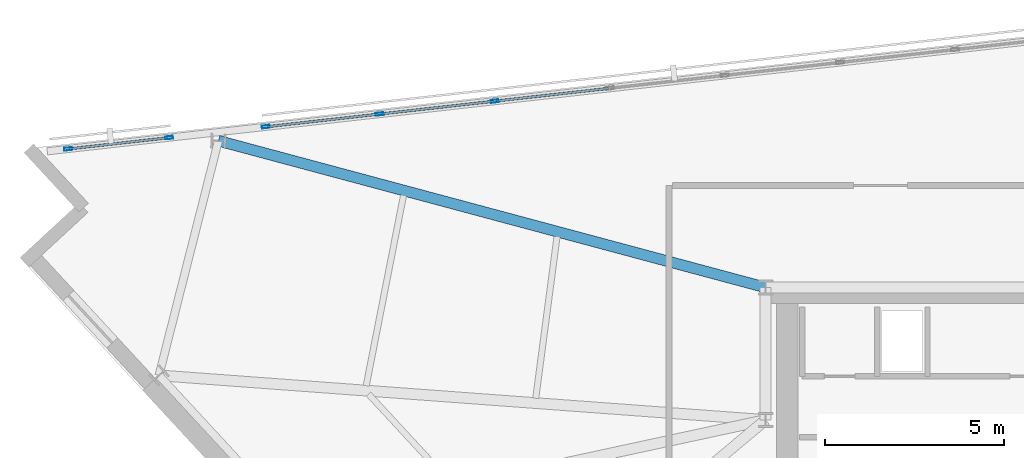
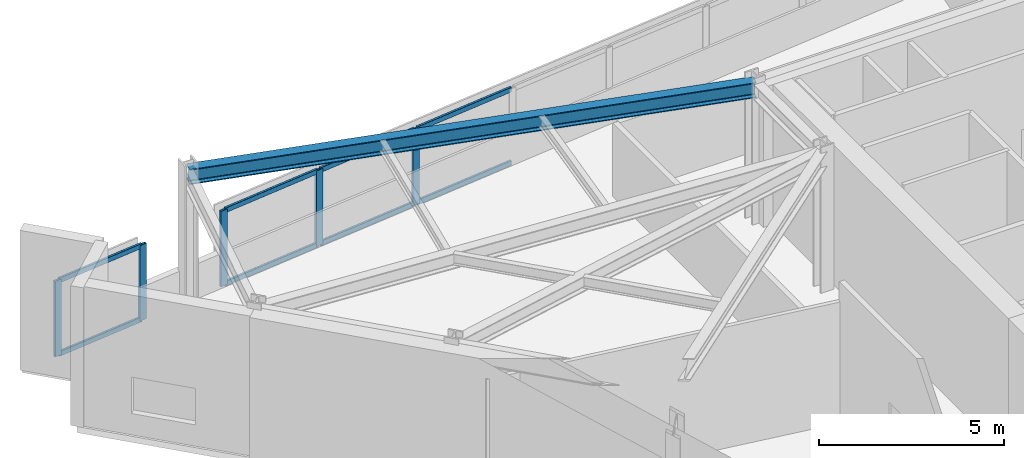
# One storey, part 2 of 12: 13 members, 1 beam, 2 elements without a shape of their own.
"""IFC4 building model written with IfcOpenShell, lengths in metres."""

from ifc_helpers import new_model, si_unit, direction, frame, origin, origin_2d, place, context, subcontext, project, spatial, hollow_rectangle, i_section, extrude, material, material_profile, profile_set, type_object, element, aggregate, save


model = new_model("IFC4")

# Units and contexts
model_context = context("Model", 3, precision=1e-05, world=origin(), true_north=direction((0.0, 1.0)))
body_context = subcontext(model_context, "Body", "Model", "MODEL_VIEW")
ifc_project = project(units=[si_unit("LENGTHUNIT", "METRE"), si_unit("AREAUNIT", "SQUARE_METRE"), si_unit("VOLUMEUNIT", "CUBIC_METRE"), si_unit("PLANEANGLEUNIT", "RADIAN"), si_unit("MASSUNIT", "GRAM", prefix="KILO")], contexts=[model_context])

# Site, building, storey
site_placement = place(None, origin())
site = spatial("IfcSite", under=ifc_project, at=site_placement, CompositionType="ELEMENT")
building_placement = place(site_placement, origin())
building = spatial("IfcBuilding", under=site, at=building_placement, Name="Narakoshi Arena Tower", CompositionType="ELEMENT")
storey_placement = place(building_placement, frame((0.0, 0.0, 307.780029296875)))
storey = spatial("IfcBuildingStorey", under=building, at=storey_placement, Name="L83", CompositionType="ELEMENT", Elevation=307.780029296875)

# Beam
ifc_material_1 = material(Name="Structural steel S355J2", Category="steel")
ifc_material_profile_1 = material_profile(ifc_material_1, i_section(OverallWidth=0.300048828125, OverallDepth=0.5, WebThickness=0.014404296875, FlangeThickness=0.028076171875, FilletRadius=0.027099609375, at=origin_2d()), Name="HE500B")
ifc_profile_set_1 = profile_set([ifc_material_profile_1], Name="Structural steel S355J2")
beam_type = type_object("IfcBeamType", Name="BM-PRI-500", PredefinedType="BEAM", material=ifc_profile_set_1)
beam_placement = place(storey_placement, frame((72.0, 56.5, 4.349853515625), z_axis=(-0.965877018817, 0.259001128418, 0.0), x_axis=(-0.259001128418, -0.965877018817, 0.0)))
element("IfcBeam", 1, at=beam_placement, inside=storey, type_object=beam_type, Name="L83 Radial Primary Floor Girder 08", PredefinedType="BEAM", context=body_context, shape_type="SweptSolid", body=[
    extrude(i_section(OverallWidth=0.300048828125, OverallDepth=0.5, WebThickness=0.014404296875, FlangeThickness=0.028076171875, FilletRadius=0.027099609375, at=origin_2d()), origin(), (0.0, 0.0, 1.0), 15.822998046875),
])

# Curtain wall, members
ifc_material_2 = material(Name="Anodised bronze aluminium 6063-T6", Category="aluminium")
curtain_wall_type = type_object("IfcCurtainWallType", Name="CW-CRN-FACET", PredefinedType="NOTDEFINED", material=ifc_material_2)
curtain_wall_1_placement = place(storey_placement, origin())
curtain_wall_1 = element("IfcCurtainWall", 2, at=curtain_wall_1_placement, inside=storey, type_object=curtain_wall_type, Name="L83 Slanted-Cut Crown Curtain Wall 6-1", PredefinedType="NOTDEFINED")
ifc_material_profile_2 = material_profile(ifc_material_2, hollow_rectangle(XDim=0.080078125, YDim=0.219970703125, WallThickness=0.0048828125, OuterFilletRadius=0.006103515625, at=origin_2d()), Name="MUL220x80x5")
ifc_profile_set_2 = profile_set([ifc_material_profile_2], Name="Anodised bronze aluminium 6063-T6")
member_type_1 = type_object("IfcMemberType", Name="MEM-MUL-220", PredefinedType="MULLION", material=ifc_profile_set_2)
member_1_placement = place(storey_placement, frame((52.522216796875, 60.369384765625, 0.0), z_axis=(0.0, 0.0, 1.0), x_axis=(-0.1113948238, 0.993776228952, 0.0)))
member_1 = element("IfcMember", 3, at=member_1_placement, type_object=member_type_1, Name="CW-06 mullion 1", PredefinedType="MULLION", context=body_context, shape_type="SweptSolid", body=[
    extrude(hollow_rectangle(XDim=0.080078125, YDim=0.219970703125, WallThickness=0.0048828125, OuterFilletRadius=0.006103515625, at=origin_2d()), origin(), (0.0, 0.0, 1.0), 2.4873046875),
])
member_2_placement = place(storey_placement, frame((55.34130859375, 60.685302734375, 0.0), z_axis=(0.0, 0.0, 1.0), x_axis=(-0.1113948238, 0.993776228952, 0.0)))
member_2 = element("IfcMember", 4, at=member_2_placement, type_object=member_type_1, Name="CW-06 mullion 2", PredefinedType="MULLION", context=body_context, shape_type="SweptSolid", body=[
    extrude(hollow_rectangle(XDim=0.080078125, YDim=0.219970703125, WallThickness=0.0048828125, OuterFilletRadius=0.006103515625, at=origin_2d()), origin(), (0.0, 0.0, 1.0), 2.4873046875),
])

curtain_wall_2_placement = place(storey_placement, origin())
curtain_wall_2 = element("IfcCurtainWall", 5, at=curtain_wall_2_placement, inside=storey, type_object=curtain_wall_type, Name="L83 Slanted-Cut Crown Curtain Wall 6-2", PredefinedType="NOTDEFINED")
member_3_placement = place(storey_placement, frame((58.040771484375, 60.988037109375, 0.0), z_axis=(0.0, 0.0, 1.0), x_axis=(-0.11139525537, 0.993776180576, 0.0)))
member_3 = element("IfcMember", 6, at=member_3_placement, type_object=member_type_1, Name="CW-06 mullion 1", PredefinedType="MULLION", context=body_context, shape_type="SweptSolid", body=[
    extrude(hollow_rectangle(XDim=0.080078125, YDim=0.219970703125, WallThickness=0.0048828125, OuterFilletRadius=0.006103515625, at=origin_2d()), origin(), (0.0, 0.0, 1.0), 2.4873046875),
])
member_4_placement = place(storey_placement, frame((61.216796875, 61.343994140625, 0.0), z_axis=(0.0, 0.0, 1.0), x_axis=(-0.11139525537, 0.993776180576, 0.0)))
member_4 = element("IfcMember", 7, at=member_4_placement, type_object=member_type_1, Name="CW-06 mullion 2", PredefinedType="MULLION", context=body_context, shape_type="SweptSolid", body=[
    extrude(hollow_rectangle(XDim=0.080078125, YDim=0.219970703125, WallThickness=0.0048828125, OuterFilletRadius=0.006103515625, at=origin_2d()), origin(), (0.0, 0.0, 1.0), 2.4873046875),
])
member_5_placement = place(storey_placement, frame((64.432373046875, 61.704345703125, 0.0), z_axis=(0.0, 0.0, 1.0), x_axis=(-0.11139525537, 0.993776180576, 0.0)))
member_5 = element("IfcMember", 8, at=member_5_placement, type_object=member_type_1, Name="CW-06 mullion 3", PredefinedType="MULLION", context=body_context, shape_type="SweptSolid", body=[
    extrude(hollow_rectangle(XDim=0.080078125, YDim=0.219970703125, WallThickness=0.0048828125, OuterFilletRadius=0.006103515625, at=origin_2d()), origin(), (0.0, 0.0, 1.0), 2.4873046875),
])

# Member
ifc_material_profile_3 = material_profile(ifc_material_2, hollow_rectangle(XDim=0.070068359375, YDim=0.159912109375, WallThickness=0.00390625, OuterFilletRadius=0.0048828125, at=origin_2d()), Name="TRN160x70x4")
ifc_profile_set_3 = profile_set([ifc_material_profile_3], Name="Anodised bronze aluminium 6063-T6")
member_type_2 = type_object("IfcMemberType", Name="MEM-TRN-160", PredefinedType="USERDEFINED", material=ifc_profile_set_3)
member_6_placement = place(storey_placement, frame((52.56201171875, 60.373779296875, 0.034912109375), z_axis=(0.993774165125, 0.11141323409, 0.0), x_axis=(-0.11141323409, 0.993774165125, 0.0)))
member_6 = element("IfcMember", 9, at=member_6_placement, type_object=member_type_2, Name="CW-06 transom 1.1", ObjectType="TRANSOM", PredefinedType="USERDEFINED", context=body_context, shape_type="SweptSolid", body=[
    extrude(hollow_rectangle(XDim=0.070068359375, YDim=0.159912109375, WallThickness=0.00390625, OuterFilletRadius=0.0048828125, at=origin_2d()), origin(), (0.0, 0.0, 1.0), 2.756591796875),
])

member_7_placement = place(storey_placement, frame((52.56201171875, 60.373779296875, 2.452392578125), z_axis=(0.993774165125, 0.11141323409, 0.0), x_axis=(-0.11141323409, 0.993774165125, 0.0)))
member_7 = element("IfcMember", 10, at=member_7_placement, type_object=member_type_2, Name="CW-06 transom 1.2", ObjectType="TRANSOM", PredefinedType="USERDEFINED", context=body_context, shape_type="SweptSolid", body=[
    extrude(hollow_rectangle(XDim=0.070068359375, YDim=0.159912109375, WallThickness=0.00390625, OuterFilletRadius=0.0048828125, at=origin_2d()), origin(), (0.0, 0.0, 1.0), 2.756591796875),
])

aggregate(curtain_wall_1, [member_1, member_2, member_6, member_7])

member_8_placement = place(storey_placement, frame((58.08056640625, 60.992431640625, 0.034912109375), z_axis=(0.993773354848, 0.111420461294, 0.0), x_axis=(-0.111420461294, 0.993773354848, 0.0)))
member_8 = element("IfcMember", 11, at=member_8_placement, type_object=member_type_2, Name="CW-06 transom 1.1", ObjectType="TRANSOM", PredefinedType="USERDEFINED", context=body_context, shape_type="SweptSolid", body=[
    extrude(hollow_rectangle(XDim=0.070068359375, YDim=0.159912109375, WallThickness=0.00390625, OuterFilletRadius=0.0048828125, at=origin_2d()), origin(), (0.0, 0.0, 1.0), 3.11572265625),
])

member_9_placement = place(storey_placement, frame((58.08056640625, 60.992431640625, 2.452392578125), z_axis=(0.993773354848, 0.111420461294, 0.0), x_axis=(-0.111420461294, 0.993773354848, 0.0)))
member_9 = element("IfcMember", 12, at=member_9_placement, type_object=member_type_2, Name="CW-06 transom 1.2", ObjectType="TRANSOM", PredefinedType="USERDEFINED", context=body_context, shape_type="SweptSolid", body=[
    extrude(hollow_rectangle(XDim=0.070068359375, YDim=0.159912109375, WallThickness=0.00390625, OuterFilletRadius=0.0048828125, at=origin_2d()), origin(), (0.0, 0.0, 1.0), 3.11572265625),
])

member_10_placement = place(storey_placement, frame((61.25634765625, 61.348388671875, 0.034912109375), z_axis=(0.993775713066, 0.111399426033, 0.0), x_axis=(-0.111399426033, 0.993775713066, 0.0)))
member_10 = element("IfcMember", 13, at=member_10_placement, type_object=member_type_2, Name="CW-06 transom 2.1", ObjectType="TRANSOM", PredefinedType="USERDEFINED", context=body_context, shape_type="SweptSolid", body=[
    extrude(hollow_rectangle(XDim=0.070068359375, YDim=0.159912109375, WallThickness=0.00390625, OuterFilletRadius=0.0048828125, at=origin_2d()), origin(), (0.0, 0.0, 1.0), 3.15576171875),
])

member_11_placement = place(storey_placement, frame((61.25634765625, 61.348388671875, 2.452392578125), z_axis=(0.993775713066, 0.111399426033, 0.0), x_axis=(-0.111399426033, 0.993775713066, 0.0)))
member_11 = element("IfcMember", 14, at=member_11_placement, type_object=member_type_2, Name="CW-06 transom 2.2", ObjectType="TRANSOM", PredefinedType="USERDEFINED", context=body_context, shape_type="SweptSolid", body=[
    extrude(hollow_rectangle(XDim=0.070068359375, YDim=0.159912109375, WallThickness=0.00390625, OuterFilletRadius=0.0048828125, at=origin_2d()), origin(), (0.0, 0.0, 1.0), 3.15576171875),
])

member_12_placement = place(storey_placement, frame((64.47216796875, 61.708984375, 0.034912109375), z_axis=(0.993784274501, 0.111323024366, 0.0), x_axis=(-0.111323024366, 0.993784274501, 0.0)))
member_12 = element("IfcMember", 15, at=member_12_placement, type_object=member_type_2, Name="CW-06 transom 3.1", ObjectType="TRANSOM", PredefinedType="USERDEFINED", context=body_context, shape_type="SweptSolid", body=[
    extrude(hollow_rectangle(XDim=0.070068359375, YDim=0.159912109375, WallThickness=0.00390625, OuterFilletRadius=0.0048828125, at=origin_2d()), origin(), (0.0, 0.0, 1.0), 3.15576171875),
])

member_13_placement = place(storey_placement, frame((64.47216796875, 61.708984375, 2.452392578125), z_axis=(0.993784274501, 0.111323024366, 0.0), x_axis=(-0.111323024366, 0.993784274501, 0.0)))
member_13 = element("IfcMember", 16, at=member_13_placement, type_object=member_type_2, Name="CW-06 transom 3.2", ObjectType="TRANSOM", PredefinedType="USERDEFINED", context=body_context, shape_type="SweptSolid", body=[
    extrude(hollow_rectangle(XDim=0.070068359375, YDim=0.159912109375, WallThickness=0.00390625, OuterFilletRadius=0.0048828125, at=origin_2d()), origin(), (0.0, 0.0, 1.0), 3.15576171875),
])

aggregate(curtain_wall_2, [member_3, member_4, member_5, member_8, member_9, member_10, member_11, member_12, member_13])

save(model, "model.ifc")
